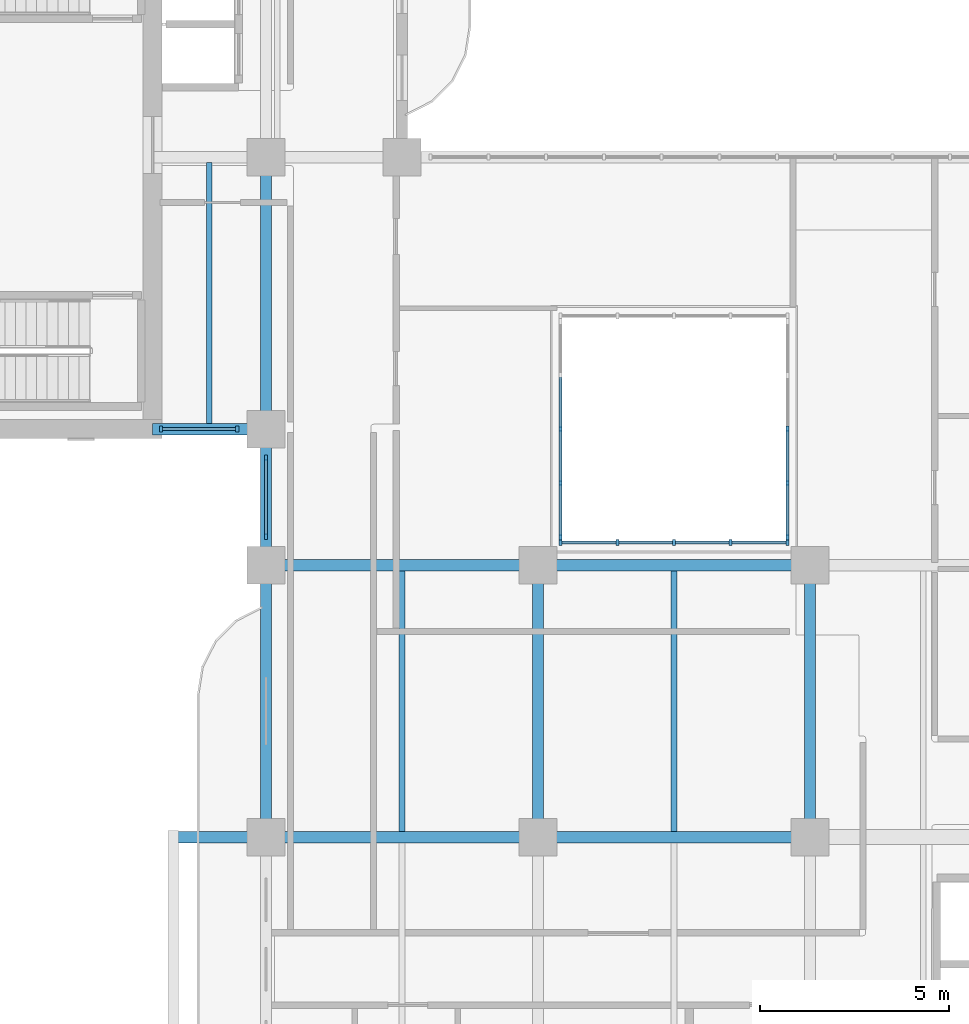
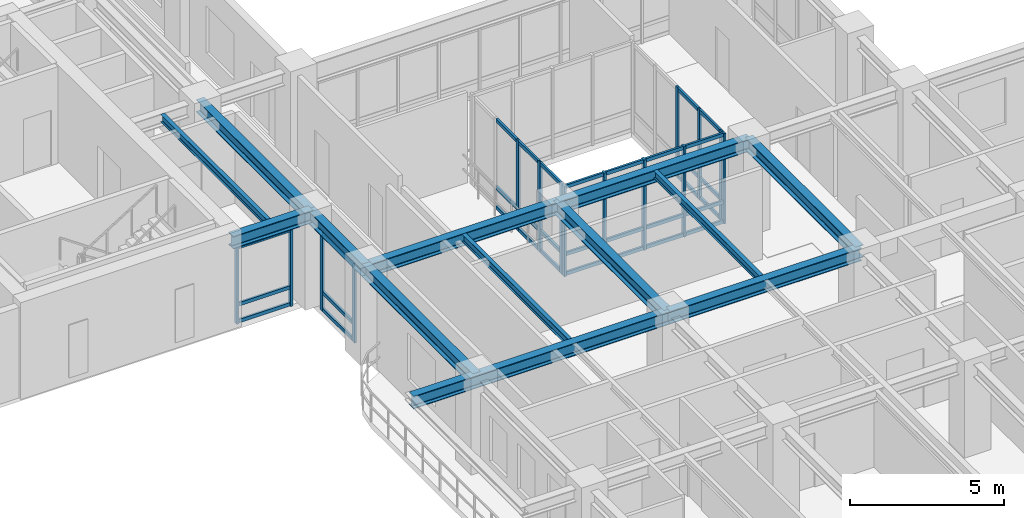
# One storey, part 2 of 19: 48 members, 13 beams, 5 elements without a shape of their own.
"""IFC4 building model written with IfcOpenShell, lengths in metres."""

from ifc_helpers import new_model, si_unit, derived_unit, direction, frame, origin, origin_2d, place, context, subcontext, project, spatial, rectangle, i_section, extrude, source, transform, mapped, material, layer, layer_set, material_profile, profile_set, type_object, type_shapes, element, aggregate, save


model = new_model("IFC4")

# Units and contexts
model_context = context("Model", 3, precision=1e-05, world=origin(), true_north=direction((0.0, 1.0)))
body_context = subcontext(model_context, "Body", "Model", "MODEL_VIEW")
ifc_project = project(units=[si_unit("LENGTHUNIT", "METRE"), si_unit("AREAUNIT", "SQUARE_METRE"), si_unit("VOLUMEUNIT", "CUBIC_METRE"), si_unit("PLANEANGLEUNIT", "RADIAN"), si_unit("MASSUNIT", "GRAM", prefix="KILO"), si_unit("THERMODYNAMICTEMPERATUREUNIT", "KELVIN"), si_unit("POWERUNIT", "WATT"), derived_unit("THERMALTRANSMITTANCEUNIT", [(si_unit("POWERUNIT", "WATT"), 1), (si_unit("AREAUNIT", "SQUARE_METRE"), -1), (si_unit("THERMODYNAMICTEMPERATUREUNIT", "KELVIN"), -1)])], contexts=[model_context])

# Site, building, storey
site_placement = place(None, origin())
site = spatial("IfcSite", under=ifc_project, at=site_placement, CompositionType="ELEMENT")
building_placement = place(site_placement, origin())
building = spatial("IfcBuilding", under=site, at=building_placement, Name="Zahravan Archway Hotel and Residences", CompositionType="ELEMENT")
storey_placement = place(building_placement, frame((0.0, 0.0, 150.300048828125)))
storey = spatial("IfcBuildingStorey", under=building, at=storey_placement, Name="L37", CompositionType="ELEMENT", Elevation=150.300048828125)

# Beams
ifc_material_1 = material(Name="Structural Steel S355JR", Category="steel")
ifc_material_profile_1 = material_profile(ifc_material_1, i_section(OverallWidth=0.300048828125, OverallDepth=0.5, WebThickness=0.014404296875, FlangeThickness=0.028076171875, FilletRadius=0.027099609375, at=origin_2d()), Name="HEB 500", Category="steel")
ifc_profile_set_1 = profile_set([ifc_material_profile_1], Name="Structural Steel S355JR")
beam_type_1 = type_object("IfcBeamType", Name="BM-PRI-HEB500", PredefinedType="BEAM", material=ifc_profile_set_1)
shared_shape_1 = source(origin(), body_context, "Body", "SweptSolid", [
    extrude(i_section(OverallWidth=0.300048828125, OverallDepth=0.5, WebThickness=0.014404296875, FlangeThickness=0.028076171875, FilletRadius=0.027099609375, at=origin_2d()), origin(), (0.0, 0.0, 1.0), 7.2001953125),
])
type_shapes(beam_type_1, [shared_shape_1])
for number, where, z_axis, x_axis, name in (
    (1, (14.39990234375, 21.60009765625, 3.349853515625), (1.0, 0.0, 0.0), (0.0, 1.0, 0.0), "L37 Primary Girder EW-11"),
    (2, (14.39990234375, 14.39990234375, 3.349853515625), (0.0, 1.0, 0.0), (-1.0, 0.0, 0.0), "L37 Primary Girder NS-30"),
    (3, (21.60009765625, 14.39990234375, 3.349853515625), (0.0, 1.0, 0.0), (-1.0, 0.0, 0.0), "L37 Primary Girder NS-37"),
    (4, (28.800048828125, 14.39990234375, 3.349853515625), (0.0, 1.0, 0.0), (-1.0, 0.0, 0.0), "L37 Primary Girder NS-40"),
):
    element("IfcBeam", number, at=place(storey_placement, frame(where, z_axis=z_axis, x_axis=x_axis)), inside=storey, type_object=beam_type_1, Name=name, PredefinedType="BEAM", context=body_context, shape_type="MappedRepresentation", body=[
        mapped(shared_shape_1, transform((0.0, 0.0, 0.0), scale=1.0)),
    ])
shared_shape_2 = source(origin(), body_context, "Body", "SweptSolid", [
    extrude(i_section(OverallWidth=0.300048828125, OverallDepth=0.5, WebThickness=0.014404296875, FlangeThickness=0.028076171875, FilletRadius=0.027099609375, at=origin_2d()), origin(), (0.0, 0.0, 1.0), 7.199951171875),
])
for number, where, z_axis, x_axis, name in (
    (5, (21.60009765625, 14.39990234375, 3.349853515625), (1.0, 0.0, 0.0), (0.0, 1.0, 0.0), "L37 Primary Girder EW-10"),
    (6, (21.60009765625, 21.60009765625, 3.349853515625), (1.0, 0.0, 0.0), (0.0, 1.0, 0.0), "L37 Primary Girder EW-12"),
    (7, (14.39990234375, 25.199951171875, 3.349853515625), (0.0, 1.0, 0.0), (-1.0, 0.0, 0.0), "L37 Primary Girder NS-32"),
):
    element("IfcBeam", number, at=place(storey_placement, frame(where, z_axis=z_axis, x_axis=x_axis)), inside=storey, type_object=beam_type_1, Name=name, PredefinedType="BEAM", context=body_context, shape_type="MappedRepresentation", body=[
        mapped(shared_shape_2, transform((0.0, 0.0, 0.0), scale=1.0)),
    ])
shared_shape_3 = source(origin(), body_context, "Body", "SweptSolid", [
    extrude(i_section(OverallWidth=0.300048828125, OverallDepth=0.5, WebThickness=0.014404296875, FlangeThickness=0.028076171875, FilletRadius=0.027099609375, at=origin_2d()), origin(), (0.0, 0.0, 1.0), 9.650146484375),
])
beam_1_placement = place(storey_placement, frame((11.949951171875, 14.39990234375, 3.349853515625), z_axis=(1.0, 0.0, 0.0), x_axis=(0.0, 1.0, 0.0)))
element("IfcBeam", 8, at=beam_1_placement, inside=storey, type_object=beam_type_1, Name="L37 Primary Girder EW-09", PredefinedType="BEAM", context=body_context, shape_type="MappedRepresentation", body=[
    mapped(shared_shape_3, transform((0.0, 0.0, 0.0), scale=1.0)),
])
shared_shape_4 = source(origin(), body_context, "Body", "SweptSolid", [
    extrude(i_section(OverallWidth=0.300048828125, OverallDepth=0.5, WebThickness=0.014404296875, FlangeThickness=0.028076171875, FilletRadius=0.027099609375, at=origin_2d()), origin(), (0.0, 0.0, 1.0), 3.0),
])
beam_2_placement = place(storey_placement, frame((11.39990234375, 25.199951171875, 3.349853515625), z_axis=(1.0, 0.0, 0.0), x_axis=(0.0, 1.0, 0.0)))
element("IfcBeam", 9, at=beam_2_placement, inside=storey, type_object=beam_type_1, Name="L37 Primary Girder EW-16", PredefinedType="BEAM", context=body_context, shape_type="MappedRepresentation", body=[
    mapped(shared_shape_4, transform((0.0, 0.0, 0.0), scale=1.0)),
])
shared_shape_5 = source(origin(), body_context, "Body", "SweptSolid", [
    extrude(i_section(OverallWidth=0.300048828125, OverallDepth=0.5, WebThickness=0.014404296875, FlangeThickness=0.028076171875, FilletRadius=0.027099609375, at=origin_2d()), origin(), (0.0, 0.0, 1.0), 3.599853515625),
])
beam_3_placement = place(storey_placement, frame((14.39990234375, 21.60009765625, 3.349853515625), z_axis=(0.0, 1.0, 0.0), x_axis=(-1.0, 0.0, 0.0)))
element("IfcBeam", 10, at=beam_3_placement, inside=storey, type_object=beam_type_1, Name="L37 Primary Girder NS-31", PredefinedType="BEAM", context=body_context, shape_type="MappedRepresentation", body=[
    mapped(shared_shape_5, transform((0.0, 0.0, 0.0), scale=1.0)),
])
ifc_material_profile_2 = material_profile(ifc_material_1, i_section(OverallWidth=0.14990234375, OverallDepth=0.300048828125, WebThickness=0.007080078125, FlangeThickness=0.0107421875, FilletRadius=0.014892578125, at=origin_2d()), Name="IPE 300", Category="steel")
ifc_profile_set_2 = profile_set([ifc_material_profile_2], Name="Structural Steel S355JR")
beam_type_2 = type_object("IfcBeamType", Name="BM-JST-IPE300", PredefinedType="JOIST", material=ifc_profile_set_2)
shared_shape_6 = source(origin(), body_context, "Body", "SweptSolid", [
    extrude(i_section(OverallWidth=0.14990234375, OverallDepth=0.300048828125, WebThickness=0.007080078125, FlangeThickness=0.0107421875, FilletRadius=0.014892578125, at=origin_2d()), origin(), (0.0, 0.0, 1.0), 6.904052734375),
])
type_shapes(beam_type_2, [shared_shape_6])
beam_4_placement = place(storey_placement, frame((12.89990234375, 25.347900390625, 3.449951171875), z_axis=(0.0, 1.0, 0.0), x_axis=(-1.0, 0.0, 0.0)))
element("IfcBeam", 11, at=beam_4_placement, inside=storey, type_object=beam_type_2, Name="L37 Composite Floor Joist 10", PredefinedType="JOIST", context=body_context, shape_type="MappedRepresentation", body=[
    mapped(shared_shape_6, transform((0.0, 0.0, 0.0), scale=1.0)),
])
shared_shape_7 = source(origin(), body_context, "Body", "SweptSolid", [
    extrude(i_section(OverallWidth=0.14990234375, OverallDepth=0.300048828125, WebThickness=0.007080078125, FlangeThickness=0.0107421875, FilletRadius=0.014892578125, at=origin_2d()), origin(), (0.0, 0.0, 1.0), 6.90380859375),
])
for number, where, z_axis, x_axis, name in (
    (12, (18.0, 14.548095703125, 3.449951171875), (0.0, 1.0, 0.0), (-1.0, 0.0, 0.0), "L37 Composite Floor Joist 08"),
    (13, (25.199951171875, 14.548095703125, 3.449951171875), (0.0, 1.0, 0.0), (-1.0, 0.0, 0.0), "L37 Composite Floor Joist 09"),
):
    element("IfcBeam", number, at=place(storey_placement, frame(where, z_axis=z_axis, x_axis=x_axis)), inside=storey, type_object=beam_type_2, Name=name, PredefinedType="JOIST", context=body_context, shape_type="MappedRepresentation", body=[
        mapped(shared_shape_7, transform((0.0, 0.0, 0.0), scale=1.0)),
    ])

# Curtain wall, members
ifc_material_2 = material(Name="Bronze-Anodized Unitised Aluminium & Low-E Glass", Category="aluminium")
ifc_layer = layer(ifc_material_2, 0.179931640625, Name="Bronze-Anodized Unitised Aluminium & Low-E Glass", Category="aluminium")
ifc_layer_set = layer_set([ifc_layer], Name="Bronze-Anodized Unitised Aluminium & Low-E Glass")
curtain_wall_type = type_object("IfcCurtainWallType", Name="CW-ATR-GLAZ", PredefinedType="NOTDEFINED", material=ifc_layer_set)
curtain_wall_1_placement = place(storey_placement, origin())
curtain_wall_1 = element("IfcCurtainWall", 14, at=curtain_wall_1_placement, inside=storey, type_object=curtain_wall_type, Name="L37 Curtain Wall CW-L37-WB-SE-1", PredefinedType="NOTDEFINED")
ifc_material_3 = material(Name="Bronze-Anodized Extruded Aluminium", Category="aluminium")
ifc_material_profile_3 = material_profile(ifc_material_3, rectangle(XDim=0.080078125, YDim=0.139892578125, at=origin_2d()), Name="TRN 80x140", Category="aluminium")
ifc_profile_set_3 = profile_set([ifc_material_profile_3], Name="Bronze-Anodized Extruded Aluminium")
member_type_1 = type_object("IfcMemberType", Name="CWM-TRN-140", PredefinedType="USERDEFINED", material=ifc_profile_set_3)
shared_shape_8 = source(origin(), body_context, "Body", "SweptSolid", [
    extrude(rectangle(XDim=0.080078125, YDim=0.139892578125, at=origin_2d()), origin(), (0.0, 0.0, 1.0), 1.940185546875),
])
member_1_placement = place(storey_placement, frame((11.659912109375, 25.199951171875, 0.070068359375), z_axis=(1.0, 0.0, 0.0), x_axis=(0.0, 1.0, 0.0)))
member_1 = element("IfcMember", 15, at=member_1_placement, type_object=member_type_1, Name="CW-L37-WB-SE-1 Transom 0-1", ObjectType="TRANSOM", PredefinedType="USERDEFINED", context=body_context, shape_type="MappedRepresentation", body=[
    mapped(shared_shape_8, transform((0.0, 0.0, 0.0), scale=1.0)),
])
member_2_placement = place(storey_placement, frame((11.659912109375, 25.199951171875, 0.740234375), z_axis=(1.0, 0.0, 0.0), x_axis=(0.0, 1.0, 0.0)))
member_2 = element("IfcMember", 16, at=member_2_placement, type_object=member_type_1, Name="CW-L37-WB-SE-1 Transom 0-2", ObjectType="TRANSOM", PredefinedType="USERDEFINED", context=body_context, shape_type="MappedRepresentation", body=[
    mapped(shared_shape_8, transform((0.0, 0.0, 0.0), scale=1.0)),
])
member_3_placement = place(storey_placement, frame((11.659912109375, 25.199951171875, 3.014892578125), z_axis=(1.0, 0.0, 0.0), x_axis=(0.0, 1.0, 0.0)))
member_3 = element("IfcMember", 17, at=member_3_placement, type_object=member_type_1, Name="CW-L37-WB-SE-1 Transom 0-3", ObjectType="TRANSOM", PredefinedType="USERDEFINED", context=body_context, shape_type="MappedRepresentation", body=[
    mapped(shared_shape_8, transform((0.0, 0.0, 0.0), scale=1.0)),
])

curtain_wall_2_placement = place(storey_placement, origin())
curtain_wall_2 = element("IfcCurtainWall", 18, at=curtain_wall_2_placement, inside=storey, type_object=curtain_wall_type, Name="L37 Curtain Wall CW-L37-WA-WLU-1", PredefinedType="NOTDEFINED")
shared_shape_9 = source(origin(), body_context, "Body", "SweptSolid", [
    extrude(rectangle(XDim=0.080078125, YDim=0.139892578125, at=origin_2d()), origin(), (0.0, 0.0, 1.0), 2.0),
])
member_4_placement = place(storey_placement, frame((14.39990234375, 22.39990234375, 0.070068359375), z_axis=(0.0, 1.0, 0.0), x_axis=(-1.0, 0.0, 0.0)))
member_4 = element("IfcMember", 19, at=member_4_placement, type_object=member_type_1, Name="CW-L37-WA-WLU-1 Transom 0-1", ObjectType="TRANSOM", PredefinedType="USERDEFINED", context=body_context, shape_type="MappedRepresentation", body=[
    mapped(shared_shape_9, transform((0.0, 0.0, 0.0), scale=1.0)),
])
member_5_placement = place(storey_placement, frame((14.39990234375, 22.39990234375, 0.740234375), z_axis=(0.0, 1.0, 0.0), x_axis=(-1.0, 0.0, 0.0)))
member_5 = element("IfcMember", 20, at=member_5_placement, type_object=member_type_1, Name="CW-L37-WA-WLU-1 Transom 0-2", ObjectType="TRANSOM", PredefinedType="USERDEFINED", context=body_context, shape_type="MappedRepresentation", body=[
    mapped(shared_shape_9, transform((0.0, 0.0, 0.0), scale=1.0)),
])
member_6_placement = place(storey_placement, frame((14.39990234375, 22.39990234375, 3.014892578125), z_axis=(0.0, 1.0, 0.0), x_axis=(-1.0, 0.0, 0.0)))
member_6 = element("IfcMember", 21, at=member_6_placement, type_object=member_type_1, Name="CW-L37-WA-WLU-1 Transom 0-3", ObjectType="TRANSOM", PredefinedType="USERDEFINED", context=body_context, shape_type="MappedRepresentation", body=[
    mapped(shared_shape_9, transform((0.0, 0.0, 0.0), scale=1.0)),
])

curtain_wall_3_placement = place(storey_placement, origin())
curtain_wall_3 = element("IfcCurtainWall", 22, at=curtain_wall_3_placement, inside=storey, type_object=curtain_wall_type, Name="L37 Curtain Wall CW-ATR-L37-S-1", PredefinedType="NOTDEFINED")
shared_shape_10 = source(origin(), body_context, "Body", "SweptSolid", [
    extrude(rectangle(XDim=0.080078125, YDim=0.139892578125, at=origin_2d()), origin(), (0.0, 0.0, 1.0), 1.419921875),
])
member_7_placement = place(storey_placement, frame((22.239990234375, 22.199951171875, 0.070068359375), z_axis=(1.0, 0.0, 0.0), x_axis=(0.0, 1.0, 0.0)))
member_7 = element("IfcMember", 23, at=member_7_placement, type_object=member_type_1, Name="CW-ATR-L37-S-1 Transom 0-1", ObjectType="TRANSOM", PredefinedType="USERDEFINED", context=body_context, shape_type="MappedRepresentation", body=[
    mapped(shared_shape_10, transform((0.0, 0.0, 0.0), scale=1.0)),
])
member_8_placement = place(storey_placement, frame((22.239990234375, 22.199951171875, 0.849853515625), z_axis=(1.0, 0.0, 0.0), x_axis=(0.0, 1.0, 0.0)))
member_8 = element("IfcMember", 24, at=member_8_placement, type_object=member_type_1, Name="CW-ATR-L37-S-1 Transom 0-2", ObjectType="TRANSOM", PredefinedType="USERDEFINED", context=body_context, shape_type="MappedRepresentation", body=[
    mapped(shared_shape_10, transform((0.0, 0.0, 0.0), scale=1.0)),
])
member_9_placement = place(storey_placement, frame((22.239990234375, 22.199951171875, 3.530029296875), z_axis=(1.0, 0.0, 0.0), x_axis=(0.0, 1.0, 0.0)))
member_9 = element("IfcMember", 25, at=member_9_placement, type_object=member_type_1, Name="CW-ATR-L37-S-1 Transom 0-3", ObjectType="TRANSOM", PredefinedType="USERDEFINED", context=body_context, shape_type="MappedRepresentation", body=[
    mapped(shared_shape_10, transform((0.0, 0.0, 0.0), scale=1.0)),
])
member_10_placement = place(storey_placement, frame((23.739990234375, 22.199951171875, 0.070068359375), z_axis=(1.0, 0.0, 0.0), x_axis=(0.0, 1.0, 0.0)))
member_10 = element("IfcMember", 26, at=member_10_placement, type_object=member_type_1, Name="CW-ATR-L37-S-1 Transom 1-1", ObjectType="TRANSOM", PredefinedType="USERDEFINED", context=body_context, shape_type="MappedRepresentation", body=[
    mapped(shared_shape_10, transform((0.0, 0.0, 0.0), scale=1.0)),
])
member_11_placement = place(storey_placement, frame((23.739990234375, 22.199951171875, 0.849853515625), z_axis=(1.0, 0.0, 0.0), x_axis=(0.0, 1.0, 0.0)))
member_11 = element("IfcMember", 27, at=member_11_placement, type_object=member_type_1, Name="CW-ATR-L37-S-1 Transom 1-2", ObjectType="TRANSOM", PredefinedType="USERDEFINED", context=body_context, shape_type="MappedRepresentation", body=[
    mapped(shared_shape_10, transform((0.0, 0.0, 0.0), scale=1.0)),
])
member_12_placement = place(storey_placement, frame((23.739990234375, 22.199951171875, 3.530029296875), z_axis=(1.0, 0.0, 0.0), x_axis=(0.0, 1.0, 0.0)))
member_12 = element("IfcMember", 28, at=member_12_placement, type_object=member_type_1, Name="CW-ATR-L37-S-1 Transom 1-3", ObjectType="TRANSOM", PredefinedType="USERDEFINED", context=body_context, shape_type="MappedRepresentation", body=[
    mapped(shared_shape_10, transform((0.0, 0.0, 0.0), scale=1.0)),
])
member_13_placement = place(storey_placement, frame((25.239990234375, 22.199951171875, 0.070068359375), z_axis=(1.0, 0.0, 0.0), x_axis=(0.0, 1.0, 0.0)))
member_13 = element("IfcMember", 29, at=member_13_placement, type_object=member_type_1, Name="CW-ATR-L37-S-1 Transom 2-1", ObjectType="TRANSOM", PredefinedType="USERDEFINED", context=body_context, shape_type="MappedRepresentation", body=[
    mapped(shared_shape_10, transform((0.0, 0.0, 0.0), scale=1.0)),
])
member_14_placement = place(storey_placement, frame((25.239990234375, 22.199951171875, 0.849853515625), z_axis=(1.0, 0.0, 0.0), x_axis=(0.0, 1.0, 0.0)))
member_14 = element("IfcMember", 30, at=member_14_placement, type_object=member_type_1, Name="CW-ATR-L37-S-1 Transom 2-2", ObjectType="TRANSOM", PredefinedType="USERDEFINED", context=body_context, shape_type="MappedRepresentation", body=[
    mapped(shared_shape_10, transform((0.0, 0.0, 0.0), scale=1.0)),
])
member_15_placement = place(storey_placement, frame((25.239990234375, 22.199951171875, 3.530029296875), z_axis=(1.0, 0.0, 0.0), x_axis=(0.0, 1.0, 0.0)))
member_15 = element("IfcMember", 31, at=member_15_placement, type_object=member_type_1, Name="CW-ATR-L37-S-1 Transom 2-3", ObjectType="TRANSOM", PredefinedType="USERDEFINED", context=body_context, shape_type="MappedRepresentation", body=[
    mapped(shared_shape_10, transform((0.0, 0.0, 0.0), scale=1.0)),
])
member_16_placement = place(storey_placement, frame((26.739990234375, 22.199951171875, 0.070068359375), z_axis=(1.0, 0.0, 0.0), x_axis=(0.0, 1.0, 0.0)))
member_16 = element("IfcMember", 32, at=member_16_placement, type_object=member_type_1, Name="CW-ATR-L37-S-1 Transom 3-1", ObjectType="TRANSOM", PredefinedType="USERDEFINED", context=body_context, shape_type="MappedRepresentation", body=[
    mapped(shared_shape_10, transform((0.0, 0.0, 0.0), scale=1.0)),
])
member_17_placement = place(storey_placement, frame((26.739990234375, 22.199951171875, 0.849853515625), z_axis=(1.0, 0.0, 0.0), x_axis=(0.0, 1.0, 0.0)))
member_17 = element("IfcMember", 33, at=member_17_placement, type_object=member_type_1, Name="CW-ATR-L37-S-1 Transom 3-2", ObjectType="TRANSOM", PredefinedType="USERDEFINED", context=body_context, shape_type="MappedRepresentation", body=[
    mapped(shared_shape_10, transform((0.0, 0.0, 0.0), scale=1.0)),
])
member_18_placement = place(storey_placement, frame((26.739990234375, 22.199951171875, 3.530029296875), z_axis=(1.0, 0.0, 0.0), x_axis=(0.0, 1.0, 0.0)))
member_18 = element("IfcMember", 34, at=member_18_placement, type_object=member_type_1, Name="CW-ATR-L37-S-1 Transom 3-3", ObjectType="TRANSOM", PredefinedType="USERDEFINED", context=body_context, shape_type="MappedRepresentation", body=[
    mapped(shared_shape_10, transform((0.0, 0.0, 0.0), scale=1.0)),
])

curtain_wall_4_placement = place(storey_placement, origin())
curtain_wall_4 = element("IfcCurtainWall", 35, at=curtain_wall_4_placement, inside=storey, type_object=curtain_wall_type, Name="L37 Curtain Wall CW-ATR-L37-W-1", PredefinedType="NOTDEFINED")
shared_shape_11 = source(origin(), body_context, "Body", "SweptSolid", [
    extrude(rectangle(XDim=0.080078125, YDim=0.139892578125, at=origin_2d()), origin(), (0.0, 0.0, 1.0), 1.34521484375),
])
member_19_placement = place(storey_placement, frame((22.199951171875, 22.389892578125, 0.070068359375), z_axis=(0.0, 1.0, 0.0), x_axis=(-1.0, 0.0, 0.0)))
member_19 = element("IfcMember", 36, at=member_19_placement, type_object=member_type_1, Name="CW-ATR-L37-W-1 Transom 0-1", ObjectType="TRANSOM", PredefinedType="USERDEFINED", context=body_context, shape_type="MappedRepresentation", body=[
    mapped(shared_shape_11, transform((0.0, 0.0, 0.0), scale=1.0)),
])
member_20_placement = place(storey_placement, frame((22.199951171875, 22.389892578125, 0.849853515625), z_axis=(0.0, 1.0, 0.0), x_axis=(-1.0, 0.0, 0.0)))
member_20 = element("IfcMember", 37, at=member_20_placement, type_object=member_type_1, Name="CW-ATR-L37-W-1 Transom 0-2", ObjectType="TRANSOM", PredefinedType="USERDEFINED", context=body_context, shape_type="MappedRepresentation", body=[
    mapped(shared_shape_11, transform((0.0, 0.0, 0.0), scale=1.0)),
])
member_21_placement = place(storey_placement, frame((22.199951171875, 22.389892578125, 3.530029296875), z_axis=(0.0, 1.0, 0.0), x_axis=(-1.0, 0.0, 0.0)))
member_21 = element("IfcMember", 38, at=member_21_placement, type_object=member_type_1, Name="CW-ATR-L37-W-1 Transom 0-3", ObjectType="TRANSOM", PredefinedType="USERDEFINED", context=body_context, shape_type="MappedRepresentation", body=[
    mapped(shared_shape_11, transform((0.0, 0.0, 0.0), scale=1.0)),
])

curtain_wall_5_placement = place(storey_placement, origin())
curtain_wall_5 = element("IfcCurtainWall", 39, at=curtain_wall_5_placement, inside=storey, type_object=curtain_wall_type, Name="L37 Curtain Wall CW-ATR-L37-E-1", PredefinedType="NOTDEFINED")
member_22_placement = place(storey_placement, frame((28.199951171875, 22.389892578125, 0.070068359375), z_axis=(0.0, 1.0, 0.0), x_axis=(-1.0, 0.0, 0.0)))
member_22 = element("IfcMember", 40, at=member_22_placement, type_object=member_type_1, Name="CW-ATR-L37-E-1 Transom 0-1", ObjectType="TRANSOM", PredefinedType="USERDEFINED", context=body_context, shape_type="MappedRepresentation", body=[
    mapped(shared_shape_11, transform((0.0, 0.0, 0.0), scale=1.0)),
])
member_23_placement = place(storey_placement, frame((28.199951171875, 22.389892578125, 0.849853515625), z_axis=(0.0, 1.0, 0.0), x_axis=(-1.0, 0.0, 0.0)))
member_23 = element("IfcMember", 41, at=member_23_placement, type_object=member_type_1, Name="CW-ATR-L37-E-1 Transom 0-2", ObjectType="TRANSOM", PredefinedType="USERDEFINED", context=body_context, shape_type="MappedRepresentation", body=[
    mapped(shared_shape_11, transform((0.0, 0.0, 0.0), scale=1.0)),
])
member_24_placement = place(storey_placement, frame((28.199951171875, 22.389892578125, 3.530029296875), z_axis=(0.0, 1.0, 0.0), x_axis=(-1.0, 0.0, 0.0)))
member_24 = element("IfcMember", 42, at=member_24_placement, type_object=member_type_1, Name="CW-ATR-L37-E-1 Transom 0-3", ObjectType="TRANSOM", PredefinedType="USERDEFINED", context=body_context, shape_type="MappedRepresentation", body=[
    mapped(shared_shape_11, transform((0.0, 0.0, 0.0), scale=1.0)),
])

# Member
shared_shape_12 = source(origin(), body_context, "Body", "SweptSolid", [
    extrude(rectangle(XDim=0.080078125, YDim=0.139892578125, at=origin_2d()), origin(), (0.0, 0.0, 1.0), 1.344970703125),
])
member_25_placement = place(storey_placement, frame((22.199951171875, 23.81494140625, 0.070068359375), z_axis=(0.0, 1.0, 0.0), x_axis=(-1.0, 0.0, 0.0)))
member_25 = element("IfcMember", 43, at=member_25_placement, type_object=member_type_1, Name="CW-ATR-L37-W-1 Transom 1-1", ObjectType="TRANSOM", PredefinedType="USERDEFINED", context=body_context, shape_type="MappedRepresentation", body=[
    mapped(shared_shape_12, transform((0.0, 0.0, 0.0), scale=1.0)),
])

member_26_placement = place(storey_placement, frame((22.199951171875, 23.81494140625, 0.849853515625), z_axis=(0.0, 1.0, 0.0), x_axis=(-1.0, 0.0, 0.0)))
member_26 = element("IfcMember", 44, at=member_26_placement, type_object=member_type_1, Name="CW-ATR-L37-W-1 Transom 1-2", ObjectType="TRANSOM", PredefinedType="USERDEFINED", context=body_context, shape_type="MappedRepresentation", body=[
    mapped(shared_shape_12, transform((0.0, 0.0, 0.0), scale=1.0)),
])

member_27_placement = place(storey_placement, frame((22.199951171875, 23.81494140625, 3.530029296875), z_axis=(0.0, 1.0, 0.0), x_axis=(-1.0, 0.0, 0.0)))
member_27 = element("IfcMember", 45, at=member_27_placement, type_object=member_type_1, Name="CW-ATR-L37-W-1 Transom 1-3", ObjectType="TRANSOM", PredefinedType="USERDEFINED", context=body_context, shape_type="MappedRepresentation", body=[
    mapped(shared_shape_12, transform((0.0, 0.0, 0.0), scale=1.0)),
])

member_28_placement = place(storey_placement, frame((22.199951171875, 25.239990234375, 0.070068359375), z_axis=(0.0, 1.0, 0.0), x_axis=(-1.0, 0.0, 0.0)))
member_28 = element("IfcMember", 46, at=member_28_placement, type_object=member_type_1, Name="CW-ATR-L37-W-1 Transom 2-1", ObjectType="TRANSOM", PredefinedType="USERDEFINED", context=body_context, shape_type="MappedRepresentation", body=[
    mapped(shared_shape_12, transform((0.0, 0.0, 0.0), scale=1.0)),
])

member_29_placement = place(storey_placement, frame((22.199951171875, 25.239990234375, 0.849853515625), z_axis=(0.0, 1.0, 0.0), x_axis=(-1.0, 0.0, 0.0)))
member_29 = element("IfcMember", 47, at=member_29_placement, type_object=member_type_1, Name="CW-ATR-L37-W-1 Transom 2-2", ObjectType="TRANSOM", PredefinedType="USERDEFINED", context=body_context, shape_type="MappedRepresentation", body=[
    mapped(shared_shape_12, transform((0.0, 0.0, 0.0), scale=1.0)),
])

member_30_placement = place(storey_placement, frame((22.199951171875, 25.239990234375, 3.530029296875), z_axis=(0.0, 1.0, 0.0), x_axis=(-1.0, 0.0, 0.0)))
member_30 = element("IfcMember", 48, at=member_30_placement, type_object=member_type_1, Name="CW-ATR-L37-W-1 Transom 2-3", ObjectType="TRANSOM", PredefinedType="USERDEFINED", context=body_context, shape_type="MappedRepresentation", body=[
    mapped(shared_shape_12, transform((0.0, 0.0, 0.0), scale=1.0)),
])

member_31_placement = place(storey_placement, frame((28.199951171875, 23.81494140625, 0.070068359375), z_axis=(0.0, 1.0, 0.0), x_axis=(-1.0, 0.0, 0.0)))
member_31 = element("IfcMember", 49, at=member_31_placement, type_object=member_type_1, Name="CW-ATR-L37-E-1 Transom 1-1", ObjectType="TRANSOM", PredefinedType="USERDEFINED", context=body_context, shape_type="MappedRepresentation", body=[
    mapped(shared_shape_12, transform((0.0, 0.0, 0.0), scale=1.0)),
])

member_32_placement = place(storey_placement, frame((28.199951171875, 23.81494140625, 0.849853515625), z_axis=(0.0, 1.0, 0.0), x_axis=(-1.0, 0.0, 0.0)))
member_32 = element("IfcMember", 50, at=member_32_placement, type_object=member_type_1, Name="CW-ATR-L37-E-1 Transom 1-2", ObjectType="TRANSOM", PredefinedType="USERDEFINED", context=body_context, shape_type="MappedRepresentation", body=[
    mapped(shared_shape_12, transform((0.0, 0.0, 0.0), scale=1.0)),
])

member_33_placement = place(storey_placement, frame((28.199951171875, 23.81494140625, 3.530029296875), z_axis=(0.0, 1.0, 0.0), x_axis=(-1.0, 0.0, 0.0)))
member_33 = element("IfcMember", 51, at=member_33_placement, type_object=member_type_1, Name="CW-ATR-L37-E-1 Transom 1-3", ObjectType="TRANSOM", PredefinedType="USERDEFINED", context=body_context, shape_type="MappedRepresentation", body=[
    mapped(shared_shape_12, transform((0.0, 0.0, 0.0), scale=1.0)),
])

ifc_material_profile_4 = material_profile(ifc_material_3, rectangle(XDim=0.080078125, YDim=0.159912109375, at=origin_2d()), Name="MUL 80x160", Category="aluminium")
ifc_profile_set_4 = profile_set([ifc_material_profile_4], Name="Bronze-Anodized Extruded Aluminium")
member_type_2 = type_object("IfcMemberType", Name="CWM-MUL-160", PredefinedType="MULLION", material=ifc_profile_set_4)
shared_shape_13 = source(origin(), body_context, "Body", "SweptSolid", [
    extrude(rectangle(XDim=0.080078125, YDim=0.159912109375, at=origin_2d()), origin(), (0.0, 0.0, 1.0), 3.0849609375),
])
member_34_placement = place(storey_placement, frame((14.39990234375, 22.360107421875, 0.0), z_axis=(0.0, 0.0, 1.0), x_axis=(1.0, 0.0, 0.0)))
member_34 = element("IfcMember", 52, at=member_34_placement, type_object=member_type_2, Name="CW-L37-WA-WLU-1 Mullion 0", PredefinedType="MULLION", context=body_context, shape_type="MappedRepresentation", body=[
    mapped(shared_shape_13, transform((0.0, 0.0, 0.0), scale=1.0)),
])

member_35_placement = place(storey_placement, frame((14.39990234375, 24.43994140625, 0.0), z_axis=(0.0, 0.0, 1.0), x_axis=(1.0, 0.0, 0.0)))
member_35 = element("IfcMember", 53, at=member_35_placement, type_object=member_type_2, Name="CW-L37-WA-WLU-1 Mullion 1", PredefinedType="MULLION", context=body_context, shape_type="MappedRepresentation", body=[
    mapped(shared_shape_13, transform((0.0, 0.0, 0.0), scale=1.0)),
])

aggregate(curtain_wall_2, [member_34, member_35, member_4, member_5, member_6])

member_36_placement = place(storey_placement, frame((11.6201171875, 25.199951171875, 0.0), z_axis=(0.0, 0.0, 1.0), x_axis=(1.0, 0.0, 0.0)))
member_36 = element("IfcMember", 54, at=member_36_placement, type_object=member_type_2, Name="CW-L37-WB-SE-1 Mullion 0", PredefinedType="MULLION", context=body_context, shape_type="MappedRepresentation", body=[
    mapped(shared_shape_13, transform((0.0, 0.0, 0.0), scale=1.0)),
])

member_37_placement = place(storey_placement, frame((13.639892578125, 25.199951171875, 0.0), z_axis=(0.0, 0.0, 1.0), x_axis=(1.0, 0.0, 0.0)))
member_37 = element("IfcMember", 55, at=member_37_placement, type_object=member_type_2, Name="CW-L37-WB-SE-1 Mullion 1", PredefinedType="MULLION", context=body_context, shape_type="MappedRepresentation", body=[
    mapped(shared_shape_13, transform((0.0, 0.0, 0.0), scale=1.0)),
])

aggregate(curtain_wall_1, [member_36, member_37, member_1, member_2, member_3])

shared_shape_14 = source(origin(), body_context, "Body", "SweptSolid", [
    extrude(rectangle(XDim=0.080078125, YDim=0.159912109375, at=origin_2d()), origin(), (0.0, 0.0, 1.0), 3.599853515625),
])
member_38_placement = place(storey_placement, frame((22.199951171875, 22.199951171875, 0.0), z_axis=(0.0, 0.0, 1.0), x_axis=(1.0, 0.0, 0.0)))
member_38 = element("IfcMember", 56, at=member_38_placement, type_object=member_type_2, Name="CW-ATR-L37-S-1 Mullion 0", PredefinedType="MULLION", context=body_context, shape_type="MappedRepresentation", body=[
    mapped(shared_shape_14, transform((0.0, 0.0, 0.0), scale=1.0)),
])

member_39_placement = place(storey_placement, frame((23.699951171875, 22.199951171875, 0.0), z_axis=(0.0, 0.0, 1.0), x_axis=(1.0, 0.0, 0.0)))
member_39 = element("IfcMember", 57, at=member_39_placement, type_object=member_type_2, Name="CW-ATR-L37-S-1 Mullion 1", PredefinedType="MULLION", context=body_context, shape_type="MappedRepresentation", body=[
    mapped(shared_shape_14, transform((0.0, 0.0, 0.0), scale=1.0)),
])

member_40_placement = place(storey_placement, frame((25.199951171875, 22.199951171875, 0.0), z_axis=(0.0, 0.0, 1.0), x_axis=(1.0, 0.0, 0.0)))
member_40 = element("IfcMember", 58, at=member_40_placement, type_object=member_type_2, Name="CW-ATR-L37-S-1 Mullion 2", PredefinedType="MULLION", context=body_context, shape_type="MappedRepresentation", body=[
    mapped(shared_shape_14, transform((0.0, 0.0, 0.0), scale=1.0)),
])

member_41_placement = place(storey_placement, frame((26.699951171875, 22.199951171875, 0.0), z_axis=(0.0, 0.0, 1.0), x_axis=(1.0, 0.0, 0.0)))
member_41 = element("IfcMember", 59, at=member_41_placement, type_object=member_type_2, Name="CW-ATR-L37-S-1 Mullion 3", PredefinedType="MULLION", context=body_context, shape_type="MappedRepresentation", body=[
    mapped(shared_shape_14, transform((0.0, 0.0, 0.0), scale=1.0)),
])

member_42_placement = place(storey_placement, frame((28.199951171875, 22.199951171875, 0.0), z_axis=(0.0, 0.0, 1.0), x_axis=(1.0, 0.0, 0.0)))
member_42 = element("IfcMember", 60, at=member_42_placement, type_object=member_type_2, Name="CW-ATR-L37-S-1 Mullion 4", PredefinedType="MULLION", context=body_context, shape_type="MappedRepresentation", body=[
    mapped(shared_shape_14, transform((0.0, 0.0, 0.0), scale=1.0)),
])

aggregate(curtain_wall_3, [member_38, member_39, member_40, member_41, member_42, member_7, member_8, member_9, member_10, member_11, member_12, member_13, member_14, member_15, member_16, member_17, member_18])

member_43_placement = place(storey_placement, frame((22.199951171875, 22.35009765625, 0.0), z_axis=(0.0, 0.0, 1.0), x_axis=(1.0, 0.0, 0.0)))
member_43 = element("IfcMember", 61, at=member_43_placement, type_object=member_type_2, Name="CW-ATR-L37-W-1 Mullion 0", PredefinedType="MULLION", context=body_context, shape_type="MappedRepresentation", body=[
    mapped(shared_shape_14, transform((0.0, 0.0, 0.0), scale=1.0)),
])

member_44_placement = place(storey_placement, frame((22.199951171875, 23.77490234375, 0.0), z_axis=(0.0, 0.0, 1.0), x_axis=(1.0, 0.0, 0.0)))
member_44 = element("IfcMember", 62, at=member_44_placement, type_object=member_type_2, Name="CW-ATR-L37-W-1 Mullion 1", PredefinedType="MULLION", context=body_context, shape_type="MappedRepresentation", body=[
    mapped(shared_shape_14, transform((0.0, 0.0, 0.0), scale=1.0)),
])

member_45_placement = place(storey_placement, frame((22.199951171875, 25.199951171875, 0.0), z_axis=(0.0, 0.0, 1.0), x_axis=(1.0, 0.0, 0.0)))
member_45 = element("IfcMember", 63, at=member_45_placement, type_object=member_type_2, Name="CW-ATR-L37-W-1 Mullion 2", PredefinedType="MULLION", context=body_context, shape_type="MappedRepresentation", body=[
    mapped(shared_shape_14, transform((0.0, 0.0, 0.0), scale=1.0)),
])

aggregate(curtain_wall_4, [member_43, member_44, member_45, member_19, member_20, member_21, member_25, member_26, member_27, member_28, member_29, member_30])

member_46_placement = place(storey_placement, frame((28.199951171875, 22.35009765625, 0.0), z_axis=(0.0, 0.0, 1.0), x_axis=(1.0, 0.0, 0.0)))
member_46 = element("IfcMember", 64, at=member_46_placement, type_object=member_type_2, Name="CW-ATR-L37-E-1 Mullion 0", PredefinedType="MULLION", context=body_context, shape_type="MappedRepresentation", body=[
    mapped(shared_shape_14, transform((0.0, 0.0, 0.0), scale=1.0)),
])

member_47_placement = place(storey_placement, frame((28.199951171875, 23.77490234375, 0.0), z_axis=(0.0, 0.0, 1.0), x_axis=(1.0, 0.0, 0.0)))
member_47 = element("IfcMember", 65, at=member_47_placement, type_object=member_type_2, Name="CW-ATR-L37-E-1 Mullion 1", PredefinedType="MULLION", context=body_context, shape_type="MappedRepresentation", body=[
    mapped(shared_shape_14, transform((0.0, 0.0, 0.0), scale=1.0)),
])

member_48_placement = place(storey_placement, frame((28.199951171875, 25.199951171875, 0.0), z_axis=(0.0, 0.0, 1.0), x_axis=(1.0, 0.0, 0.0)))
member_48 = element("IfcMember", 66, at=member_48_placement, type_object=member_type_2, Name="CW-ATR-L37-E-1 Mullion 2", PredefinedType="MULLION", context=body_context, shape_type="MappedRepresentation", body=[
    mapped(shared_shape_14, transform((0.0, 0.0, 0.0), scale=1.0)),
])

aggregate(curtain_wall_5, [member_46, member_47, member_48, member_22, member_23, member_24, member_31, member_32, member_33])

save(model, "model.ifc")
